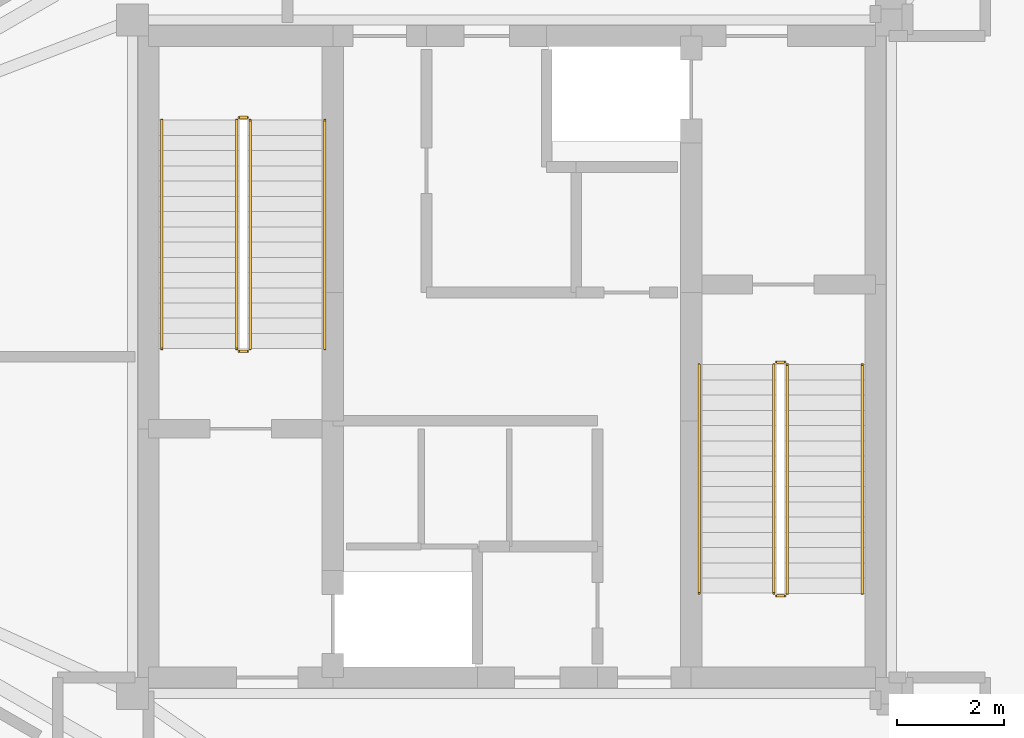
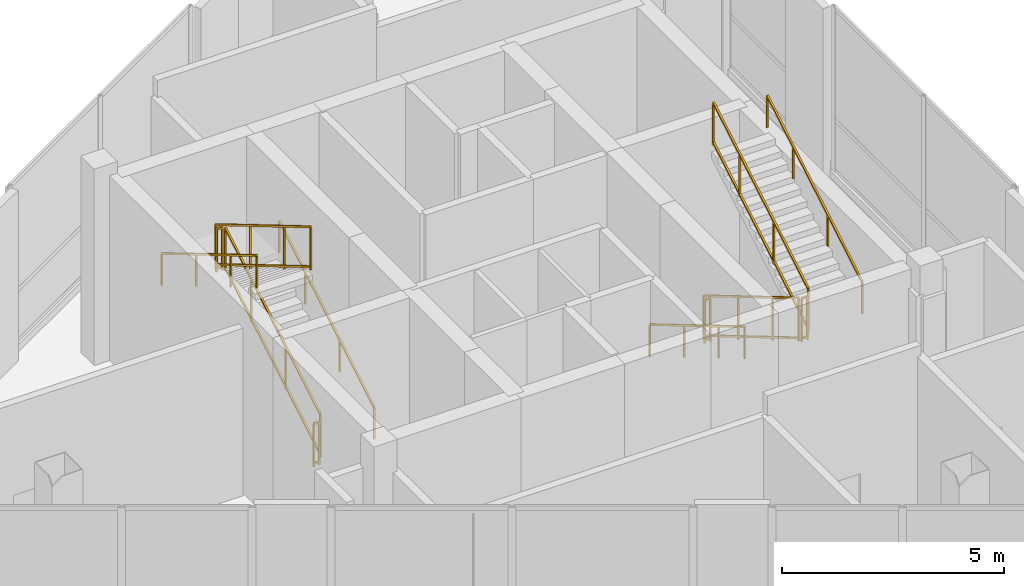
# One storey, part 13 of 13: 12 railings.
"""IFC4 building model written with IfcOpenShell, lengths in metres."""

from ifc_helpers import new_model, si_unit, direction, frame, origin, origin_2d, place, context, subcontext, project, spatial, rectangle, extrude, material, type_object, element, save


model = new_model("IFC4")

# Units and contexts
model_context = context("Model", 3, precision=1e-05, world=origin(), true_north=direction((0.0, 1.0)))
body_context = subcontext(model_context, "Body", "Model", "MODEL_VIEW")
ifc_project = project(units=[si_unit("LENGTHUNIT", "METRE"), si_unit("AREAUNIT", "SQUARE_METRE"), si_unit("VOLUMEUNIT", "CUBIC_METRE"), si_unit("PLANEANGLEUNIT", "RADIAN"), si_unit("MASSUNIT", "GRAM", prefix="KILO")], contexts=[model_context])

# Site, building, storey
site_placement = place(None, origin())
site = spatial("IfcSite", under=ifc_project, at=site_placement, CompositionType="ELEMENT")
building_placement = place(site_placement, origin())
building = spatial("IfcBuilding", under=site, at=building_placement, Name="Mersakhor Tower and Convention Hall", CompositionType="ELEMENT")
storey_placement = place(building_placement, frame((0.0, 0.0, 258.60009765625)))
storey = spatial("IfcBuildingStorey", under=building, at=storey_placement, Name="L72", CompositionType="ELEMENT", Elevation=258.60009765625)

# Railings
ifc_material_1 = material(Name="Brushed stainless steel handrail", Category="steel")
railing_type_1 = type_object("IfcRailingType", Name="RL-HR-900", PredefinedType="HANDRAIL", material=ifc_material_1)
railing_1_placement = place(storey_placement, frame((25.5, 26.89990234375, 0.168701171875)))
element("IfcRailing", 1, at=railing_1_placement, inside=storey, type_object=railing_type_1, Name="L72 ST-1 stair handrail 1", PredefinedType="HANDRAIL", context=body_context, shape_type="SweptSolid", body=[
    extrude(rectangle(XDim=0.048095703125, YDim=0.048095703125, at=origin_2d()), frame((0.0, 0.0, 0.8759765625), z_axis=(0.0, 0.860483042394, 0.50947908078), x_axis=(-1.0, 0.0, 0.0)), (0.0, 0.0, 1.0), 4.96826171875),
    extrude(rectangle(XDim=0.0419921875, YDim=0.0419921875, at=origin_2d()), origin(), (0.0, 0.0, 1.0), 0.851806640625),
    extrude(rectangle(XDim=0.0419921875, YDim=0.0419921875, at=origin_2d()), frame((0.0, 1.548828125, 0.9169921875)), (0.0, 0.0, 1.0), 0.851806640625),
    extrude(rectangle(XDim=0.0419921875, YDim=0.0419921875, at=origin_2d()), frame((0.0, 3.09765625, 1.834228515625)), (0.0, 0.0, 1.0), 0.851806640625),
    extrude(rectangle(XDim=0.0419921875, YDim=0.0419921875, at=origin_2d()), frame((0.0, 4.275146484375, 2.53125)), (0.0, 0.0, 1.0), 0.851806640625),
])
for number, where, name in (
    (2, (22.449951171875, 31.175048828125, 2.86865234375), "L72 ST-1 stair handrail 2"),
    (3, (32.5, 26.60009765625, 0.168701171875), "L72 ST-2 stair handrail 1"),
):
    element("IfcRailing", number, at=place(storey_placement, frame(where)), inside=storey, type_object=railing_type_1, Name=name, PredefinedType="HANDRAIL", context=body_context, shape_type="SweptSolid", body=[
        extrude(rectangle(XDim=0.048095703125, YDim=0.048095703125, at=origin_2d()), frame((0.0, 0.0, 0.8759765625), z_axis=(0.0, -0.860483042394, 0.50947908078), x_axis=(1.0, 0.0, 0.0)), (0.0, 0.0, 1.0), 4.96826171875),
        extrude(rectangle(XDim=0.0419921875, YDim=0.0419921875, at=origin_2d()), origin(), (0.0, 0.0, 1.0), 0.851806640625),
        extrude(rectangle(XDim=0.0419921875, YDim=0.0419921875, at=origin_2d()), frame((0.0, -1.548828125, 0.9169921875)), (0.0, 0.0, 1.0), 0.851806640625),
        extrude(rectangle(XDim=0.0419921875, YDim=0.0419921875, at=origin_2d()), frame((0.0, -3.09765625, 1.834228515625)), (0.0, 0.0, 1.0), 0.851806640625),
        extrude(rectangle(XDim=0.0419921875, YDim=0.0419921875, at=origin_2d()), frame((0.0, -4.275146484375, 2.53125)), (0.0, 0.0, 1.0), 0.851806640625),
    ])
railing_2_placement = place(storey_placement, frame((35.550048828125, 22.324951171875, 2.86865234375)))
element("IfcRailing", 4, at=railing_2_placement, inside=storey, type_object=railing_type_1, Name="L72 ST-2 stair handrail 2", PredefinedType="HANDRAIL", context=body_context, shape_type="SweptSolid", body=[
    extrude(rectangle(XDim=0.048095703125, YDim=0.048095703125, at=origin_2d()), frame((0.0, 0.0, 0.8759765625), z_axis=(0.0, 0.860483042394, 0.50947908078), x_axis=(-1.0, 0.0, 0.0)), (0.0, 0.0, 1.0), 4.96826171875),
    extrude(rectangle(XDim=0.0419921875, YDim=0.0419921875, at=origin_2d()), origin(), (0.0, 0.0, 1.0), 0.851806640625),
    extrude(rectangle(XDim=0.0419921875, YDim=0.0419921875, at=origin_2d()), frame((0.0, 1.548828125, 0.9169921875)), (0.0, 0.0, 1.0), 0.851806640625),
    extrude(rectangle(XDim=0.0419921875, YDim=0.0419921875, at=origin_2d()), frame((0.0, 3.09765625, 1.834228515625)), (0.0, 0.0, 1.0), 0.851806640625),
    extrude(rectangle(XDim=0.0419921875, YDim=0.0419921875, at=origin_2d()), frame((0.0, 4.275146484375, 2.53125)), (0.0, 0.0, 1.0), 0.851806640625),
])
ifc_material_2 = material(Name="Painted steel stair balustrade S355", Category="steel")
railing_type_2 = type_object("IfcRailingType", Name="RL-STG-1200", PredefinedType="BALUSTRADE", material=ifc_material_2)
railing_3_placement = place(storey_placement, frame((24.10009765625, 26.89990234375, 0.168701171875)))
element("IfcRailing", 5, at=railing_3_placement, inside=storey, type_object=railing_type_2, Name="L72 ST-1 stair guard 1", PredefinedType="BALUSTRADE", context=body_context, shape_type="SweptSolid", body=[
    extrude(rectangle(XDim=0.048095703125, YDim=0.048095703125, at=origin_2d()), frame((0.0, 0.0, 1.17578125), z_axis=(0.0, 0.860483042394, 0.50947908078), x_axis=(-1.0, 0.0, 0.0)), (0.0, 0.0, 1.0), 4.96826171875),
    extrude(rectangle(XDim=0.048095703125, YDim=0.048095703125, at=origin_2d()), frame((0.0, 0.0, 0.080078125), z_axis=(0.0, 0.860483042394, 0.50947908078), x_axis=(-1.0, 0.0, 0.0)), (0.0, 0.0, 1.0), 4.96826171875),
    extrude(rectangle(XDim=0.0419921875, YDim=0.0419921875, at=origin_2d()), origin(), (0.0, 0.0, 1.0), 1.15185546875),
    extrude(rectangle(XDim=0.0419921875, YDim=0.0419921875, at=origin_2d()), frame((0.0, 1.548828125, 0.9169921875)), (0.0, 0.0, 1.0), 1.15185546875),
    extrude(rectangle(XDim=0.0419921875, YDim=0.0419921875, at=origin_2d()), frame((0.0, 3.09765625, 1.834228515625)), (0.0, 0.0, 1.0), 1.15185546875),
    extrude(rectangle(XDim=0.0419921875, YDim=0.0419921875, at=origin_2d()), frame((0.0, 4.275146484375, 2.53125)), (0.0, 0.0, 1.0), 1.15185546875),
])
railing_4_placement = place(storey_placement, frame((24.050048828125, 31.22509765625, 2.699951171875)))
element("IfcRailing", 6, at=railing_4_placement, inside=storey, type_object=railing_type_2, Name="L72 ST-1 stair guard 2", PredefinedType="BALUSTRADE", context=body_context, shape_type="SweptSolid", body=[
    extrude(rectangle(XDim=0.048095703125, YDim=0.048095703125, at=origin_2d()), frame((0.0, 0.0, 1.17578125), z_axis=(-1.0, 0.0, 0.0), x_axis=(0.0, -1.0, 0.0)), (0.0, 0.0, 1.0), 0.150146484375),
    extrude(rectangle(XDim=0.048095703125, YDim=0.048095703125, at=origin_2d()), frame((0.0, 0.0, 0.080078125), z_axis=(-1.0, 0.0, 0.0), x_axis=(0.0, -1.0, 0.0)), (0.0, 0.0, 1.0), 0.150146484375),
    extrude(rectangle(XDim=0.0419921875, YDim=0.0419921875, at=origin_2d()), origin(), (0.0, 0.0, 1.0), 1.15185546875),
    extrude(rectangle(XDim=0.0419921875, YDim=0.0419921875, at=origin_2d()), frame((-0.150146484375, 0.0, 0.0)), (0.0, 0.0, 1.0), 1.15185546875),
])
railing_5_placement = place(storey_placement, frame((23.85009765625, 31.175048828125, 2.86865234375)))
element("IfcRailing", 7, at=railing_5_placement, inside=storey, type_object=railing_type_2, Name="L72 ST-1 stair guard 3", PredefinedType="BALUSTRADE", context=body_context, shape_type="SweptSolid", body=[
    extrude(rectangle(XDim=0.048095703125, YDim=0.048095703125, at=origin_2d()), frame((0.0, 0.0, 1.17578125), z_axis=(0.0, -0.860483042394, 0.50947908078), x_axis=(1.0, 0.0, 0.0)), (0.0, 0.0, 1.0), 4.96826171875),
    extrude(rectangle(XDim=0.048095703125, YDim=0.048095703125, at=origin_2d()), frame((0.0, 0.0, 0.080078125), z_axis=(0.0, -0.860483042394, 0.50947908078), x_axis=(1.0, 0.0, 0.0)), (0.0, 0.0, 1.0), 4.96826171875),
    extrude(rectangle(XDim=0.0419921875, YDim=0.0419921875, at=origin_2d()), origin(), (0.0, 0.0, 1.0), 1.15185546875),
    extrude(rectangle(XDim=0.0419921875, YDim=0.0419921875, at=origin_2d()), frame((0.0, -1.548828125, 0.9169921875)), (0.0, 0.0, 1.0), 1.15185546875),
    extrude(rectangle(XDim=0.0419921875, YDim=0.0419921875, at=origin_2d()), frame((0.0, -3.09765625, 1.834228515625)), (0.0, 0.0, 1.0), 1.15185546875),
    extrude(rectangle(XDim=0.0419921875, YDim=0.0419921875, at=origin_2d()), frame((0.0, -4.275146484375, 2.53125)), (0.0, 0.0, 1.0), 1.15185546875),
])
railing_6_placement = place(storey_placement, frame((24.050048828125, 26.85009765625, 0.0)))
element("IfcRailing", 8, at=railing_6_placement, inside=storey, type_object=railing_type_2, Name="L72 ST-1 stair guard 4", PredefinedType="BALUSTRADE", context=body_context, shape_type="SweptSolid", body=[
    extrude(rectangle(XDim=0.048095703125, YDim=0.048095703125, at=origin_2d()), frame((0.0, 0.0, 1.17578125), z_axis=(-1.0, 0.0, 0.0), x_axis=(0.0, -1.0, 0.0)), (0.0, 0.0, 1.0), 0.150146484375),
    extrude(rectangle(XDim=0.048095703125, YDim=0.048095703125, at=origin_2d()), frame((0.0, 0.0, 0.080078125), z_axis=(-1.0, 0.0, 0.0), x_axis=(0.0, -1.0, 0.0)), (0.0, 0.0, 1.0), 0.150146484375),
    extrude(rectangle(XDim=0.0419921875, YDim=0.0419921875, at=origin_2d()), origin(), (0.0, 0.0, 1.0), 1.15185546875),
    extrude(rectangle(XDim=0.0419921875, YDim=0.0419921875, at=origin_2d()), frame((-0.150146484375, 0.0, 0.0)), (0.0, 0.0, 1.0), 1.15185546875),
])
railing_7_placement = place(storey_placement, frame((33.89990234375, 26.60009765625, 0.168701171875)))
element("IfcRailing", 9, at=railing_7_placement, inside=storey, type_object=railing_type_2, Name="L72 ST-2 stair guard 1", PredefinedType="BALUSTRADE", context=body_context, shape_type="SweptSolid", body=[
    extrude(rectangle(XDim=0.048095703125, YDim=0.048095703125, at=origin_2d()), frame((0.0, 0.0, 1.17578125), z_axis=(0.0, -0.860483042394, 0.50947908078), x_axis=(1.0, 0.0, 0.0)), (0.0, 0.0, 1.0), 4.96826171875),
    extrude(rectangle(XDim=0.048095703125, YDim=0.048095703125, at=origin_2d()), frame((0.0, 0.0, 0.080078125), z_axis=(0.0, -0.860483042394, 0.50947908078), x_axis=(1.0, 0.0, 0.0)), (0.0, 0.0, 1.0), 4.96826171875),
    extrude(rectangle(XDim=0.0419921875, YDim=0.0419921875, at=origin_2d()), origin(), (0.0, 0.0, 1.0), 1.15185546875),
    extrude(rectangle(XDim=0.0419921875, YDim=0.0419921875, at=origin_2d()), frame((0.0, -1.548828125, 0.9169921875)), (0.0, 0.0, 1.0), 1.15185546875),
    extrude(rectangle(XDim=0.0419921875, YDim=0.0419921875, at=origin_2d()), frame((0.0, -3.09765625, 1.834228515625)), (0.0, 0.0, 1.0), 1.15185546875),
    extrude(rectangle(XDim=0.0419921875, YDim=0.0419921875, at=origin_2d()), frame((0.0, -4.275146484375, 2.53125)), (0.0, 0.0, 1.0), 1.15185546875),
])
railing_8_placement = place(storey_placement, frame((33.949951171875, 22.27490234375, 2.699951171875)))
element("IfcRailing", 10, at=railing_8_placement, inside=storey, type_object=railing_type_2, Name="L72 ST-2 stair guard 2", PredefinedType="BALUSTRADE", context=body_context, shape_type="SweptSolid", body=[
    extrude(rectangle(XDim=0.048095703125, YDim=0.048095703125, at=origin_2d()), frame((0.0, 0.0, 1.17578125), z_axis=(1.0, 0.0, 0.0), x_axis=(0.0, 1.0, 0.0)), (0.0, 0.0, 1.0), 0.150146484375),
    extrude(rectangle(XDim=0.048095703125, YDim=0.048095703125, at=origin_2d()), frame((0.0, 0.0, 0.080078125), z_axis=(1.0, 0.0, 0.0), x_axis=(0.0, 1.0, 0.0)), (0.0, 0.0, 1.0), 0.150146484375),
    extrude(rectangle(XDim=0.0419921875, YDim=0.0419921875, at=origin_2d()), origin(), (0.0, 0.0, 1.0), 1.15185546875),
    extrude(rectangle(XDim=0.0419921875, YDim=0.0419921875, at=origin_2d()), frame((0.150146484375, 0.0, 0.0)), (0.0, 0.0, 1.0), 1.15185546875),
])
railing_9_placement = place(storey_placement, frame((34.14990234375, 22.324951171875, 2.86865234375)))
element("IfcRailing", 11, at=railing_9_placement, inside=storey, type_object=railing_type_2, Name="L72 ST-2 stair guard 3", PredefinedType="BALUSTRADE", context=body_context, shape_type="SweptSolid", body=[
    extrude(rectangle(XDim=0.048095703125, YDim=0.048095703125, at=origin_2d()), frame((0.0, 0.0, 1.17578125), z_axis=(0.0, 0.860483042394, 0.50947908078), x_axis=(-1.0, 0.0, 0.0)), (0.0, 0.0, 1.0), 4.96826171875),
    extrude(rectangle(XDim=0.048095703125, YDim=0.048095703125, at=origin_2d()), frame((0.0, 0.0, 0.080078125), z_axis=(0.0, 0.860483042394, 0.50947908078), x_axis=(-1.0, 0.0, 0.0)), (0.0, 0.0, 1.0), 4.96826171875),
    extrude(rectangle(XDim=0.0419921875, YDim=0.0419921875, at=origin_2d()), origin(), (0.0, 0.0, 1.0), 1.15185546875),
    extrude(rectangle(XDim=0.0419921875, YDim=0.0419921875, at=origin_2d()), frame((0.0, 1.548828125, 0.9169921875)), (0.0, 0.0, 1.0), 1.15185546875),
    extrude(rectangle(XDim=0.0419921875, YDim=0.0419921875, at=origin_2d()), frame((0.0, 3.09765625, 1.834228515625)), (0.0, 0.0, 1.0), 1.15185546875),
    extrude(rectangle(XDim=0.0419921875, YDim=0.0419921875, at=origin_2d()), frame((0.0, 4.275146484375, 2.53125)), (0.0, 0.0, 1.0), 1.15185546875),
])
railing_10_placement = place(storey_placement, frame((33.949951171875, 26.64990234375, 0.0)))
element("IfcRailing", 12, at=railing_10_placement, inside=storey, type_object=railing_type_2, Name="L72 ST-2 stair guard 4", PredefinedType="BALUSTRADE", context=body_context, shape_type="SweptSolid", body=[
    extrude(rectangle(XDim=0.048095703125, YDim=0.048095703125, at=origin_2d()), frame((0.0, 0.0, 1.17578125), z_axis=(1.0, 0.0, 0.0), x_axis=(0.0, 1.0, 0.0)), (0.0, 0.0, 1.0), 0.150146484375),
    extrude(rectangle(XDim=0.048095703125, YDim=0.048095703125, at=origin_2d()), frame((0.0, 0.0, 0.080078125), z_axis=(1.0, 0.0, 0.0), x_axis=(0.0, 1.0, 0.0)), (0.0, 0.0, 1.0), 0.150146484375),
    extrude(rectangle(XDim=0.0419921875, YDim=0.0419921875, at=origin_2d()), origin(), (0.0, 0.0, 1.0), 1.15185546875),
    extrude(rectangle(XDim=0.0419921875, YDim=0.0419921875, at=origin_2d()), frame((0.150146484375, 0.0, 0.0)), (0.0, 0.0, 1.0), 1.15185546875),
])

save(model, "model.ifc")
